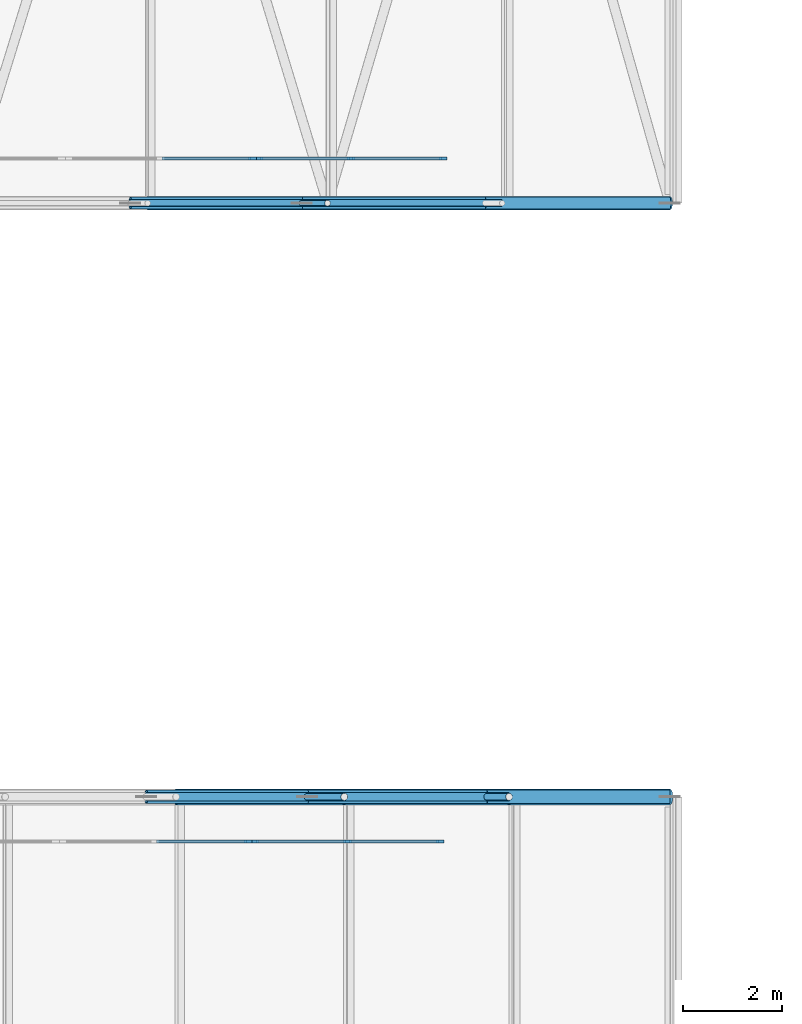
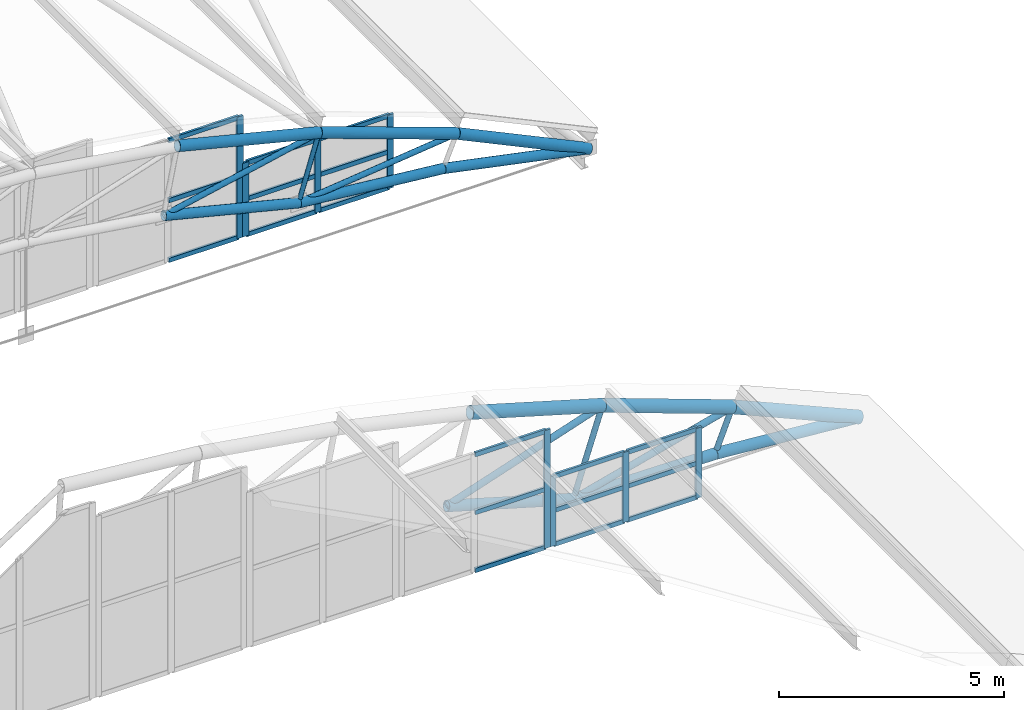
# One storey, part 147 of 321: 45 members, 4 elements without a shape of their own.
"""IFC4 building model written with IfcOpenShell, lengths in metres."""

from ifc_helpers import new_model, si_unit, direction, frame, origin, origin_2d, place, context, subcontext, project, spatial, rectangle, hollow_circle, extrude, material, layer, layer_set, material_profile, profile_set, type_object, element, aggregate, save


model = new_model("IFC4")

# Units and contexts
model_context = context("Model", 3, precision=1e-05, world=origin(), true_north=direction((0.0, 1.0)))
body_context = subcontext(model_context, "Body", "Model", "MODEL_VIEW")
ifc_project = project(units=[si_unit("LENGTHUNIT", "METRE"), si_unit("AREAUNIT", "SQUARE_METRE"), si_unit("VOLUMEUNIT", "CUBIC_METRE"), si_unit("PLANEANGLEUNIT", "RADIAN"), si_unit("MASSUNIT", "GRAM", prefix="KILO")], contexts=[model_context])

# Site, building, storey
site_placement = place(None, origin())
site = spatial("IfcSite", under=ifc_project, at=site_placement, CompositionType="ELEMENT")
building_placement = place(site_placement, origin())
building = spatial("IfcBuilding", under=site, at=building_placement, Name="Ravi Spectrum Wholesale Market", CompositionType="ELEMENT")
storey_placement = place(building_placement, frame((0.0, 0.0, 10.800048828125)))
storey = spatial("IfcBuildingStorey", under=building, at=storey_placement, Name="L02", CompositionType="ELEMENT", Elevation=10.800048828125)

# Members
ifc_material_1 = material(Name="Steel S355", Category="steel")
ifc_material_profile_1 = material_profile(ifc_material_1, hollow_circle(Radius=0.05712890625, WallThickness=0.00390625, at=origin_2d()))
ifc_profile_set_1 = profile_set([ifc_material_profile_1], Name="Steel S355")
member_type_1 = type_object("IfcMemberType", Name="CHS 114.3x4 post", PredefinedType="POST", material=ifc_profile_set_1)
member_1_placement = place(storey_placement, frame((191.083251953125, 138.0, 2.859130859375), z_axis=(-0.28969871245, 0.0, -0.957117890338), x_axis=(0.0, -1.0, 0.0)))
element("IfcMember", 1, at=member_1_placement, inside=storey, type_object=member_type_1, Name="H3-MB-L02-028", PredefinedType="POST", context=body_context, shape_type="SweptSolid", body=[
    extrude(hollow_circle(Radius=0.05712890625, WallThickness=0.00390625, at=origin_2d()), origin(), (0.0, 0.0, 1.0), 1.800048828125),
])
ifc_material_2 = material(Name="Steel S355", Category="steel")
ifc_material_profile_2 = material_profile(ifc_material_2, hollow_circle(Radius=0.06982421875, WallThickness=0.0048828125, at=origin_2d()))
ifc_profile_set_2 = profile_set([ifc_material_profile_2], Name="Steel S355")
member_type_2 = type_object("IfcMemberType", Name="CHS 139.7x5 brace", PredefinedType="BRACE", material=ifc_profile_set_2)
for number, where, z_axis, x_axis, name in (
    (2, (191.083251953125, 138.0, 2.859130859375), (-0.977654929292, 0.0, -0.210216172618), (0.0, -1.0, 0.0), "H3-MB-L02-036"),
    (3, (194.61181640625, 138.0, 1.59912109375), (-0.993531900469, 0.0, -0.113553347597), (0.0, -1.0, 0.0), "H3-MB-L02-037"),
):
    element("IfcMember", number, at=place(storey_placement, frame(where, z_axis=z_axis, x_axis=x_axis)), inside=storey, type_object=member_type_2, Name=name, PredefinedType="BRACE", context=body_context, shape_type="SweptSolid", body=[
        extrude(hollow_circle(Radius=0.06982421875, WallThickness=0.0048828125, at=origin_2d()), origin(), (0.0, 0.0, 1.0), 4.076416015625),
    ])
ifc_material_3 = material(Name="Steel S355", Category="steel")
ifc_material_profile_3 = material_profile(ifc_material_3, hollow_circle(Radius=0.06982421875, WallThickness=0.0048828125, at=origin_2d()))
ifc_profile_set_3 = profile_set([ifc_material_profile_3], Name="Steel S355")
member_type_3 = type_object("IfcMemberType", Name="CHS 139.7x5 post", PredefinedType="POST", material=ifc_profile_set_3)
member_2_placement = place(storey_placement, frame((191.422119140625, 126.0, 2.62255859375), z_axis=(-0.310973905747, 0.0, -0.950418449918), x_axis=(0.0, -1.0, 0.0)))
element("IfcMember", 4, at=member_2_placement, inside=storey, type_object=member_type_3, Name="H2-MB-L02-264", PredefinedType="POST", context=body_context, shape_type="SweptSolid", body=[
    extrude(hollow_circle(Radius=0.06982421875, WallThickness=0.0048828125, at=origin_2d()), origin(), (0.0, 0.0, 1.0), 2.39990234375),
])
member_3_placement = place(storey_placement, frame((194.75244140625, 126.0, 1.415283203125), z_axis=(-0.370337942638, 0.0, -0.928897092386), x_axis=(0.0, -1.0, 0.0)))
element("IfcMember", 5, at=member_3_placement, inside=storey, type_object=member_type_3, Name="H2-MB-L02-265", PredefinedType="POST", context=body_context, shape_type="SweptSolid", body=[
    extrude(hollow_circle(Radius=0.06982421875, WallThickness=0.0048828125, at=origin_2d()), origin(), (0.0, 0.0, 1.0), 1.19970703125),
])
ifc_material_4 = material(Name="Steel S355", Category="steel")
ifc_material_profile_4 = material_profile(ifc_material_4, hollow_circle(Radius=0.084228515625, WallThickness=0.00634765625, at=origin_2d()))
ifc_profile_set_4 = profile_set([ifc_material_profile_4], Name="Steel S355")
member_type_4 = type_object("IfcMemberType", Name="CHS 168.3x6.3 brace", PredefinedType="BRACE", material=ifc_profile_set_4)
member_4_placement = place(storey_placement, frame((191.422119140625, 126.0, 2.62255859375), z_axis=(-0.949001331945, 0.0, -0.315272060237), x_axis=(0.0, -1.0, 0.0)))
element("IfcMember", 6, at=member_4_placement, inside=storey, type_object=member_type_4, Name="H2-MB-L02-276", PredefinedType="BRACE", context=body_context, shape_type="SweptSolid", body=[
    extrude(hollow_circle(Radius=0.084228515625, WallThickness=0.00634765625, at=origin_2d()), origin(), (0.0, 0.0, 1.0), 4.2158203125),
])
member_5_placement = place(storey_placement, frame((194.75244140625, 126.0, 1.415283203125), z_axis=(-0.96702050396, 0.0, -0.254698537335), x_axis=(0.0, -1.0, 0.0)))
element("IfcMember", 7, at=member_5_placement, inside=storey, type_object=member_type_4, Name="H2-MB-L02-277", PredefinedType="BRACE", context=body_context, shape_type="SweptSolid", body=[
    extrude(hollow_circle(Radius=0.084228515625, WallThickness=0.00634765625, at=origin_2d()), origin(), (0.0, 0.0, 1.0), 4.215576171875),
])
ifc_material_5 = material(Name="Steel S355", Category="steel")
ifc_material_profile_5 = material_profile(ifc_material_5, hollow_circle(Radius=0.122314453125, WallThickness=0.008056640625, at=origin_2d()))
ifc_profile_set_5 = profile_set([ifc_material_profile_5], Name="Steel S355")
member_type_5 = type_object("IfcMemberType", Name="CHS 244.5x8 chord", PredefinedType="CHORD", material=ifc_profile_set_5)
member_6_placement = place(storey_placement, frame((187.097900390625, 138.0, 2.002197265625), z_axis=(0.970142500145, 0.0, -0.242535625036), x_axis=(0.0, 1.0, 0.0)))
element("IfcMember", 8, at=member_6_placement, inside=storey, type_object=member_type_5, Name="H3-MB-L02-018", PredefinedType="CHORD", context=body_context, shape_type="SweptSolid", body=[
    extrude(hollow_circle(Radius=0.122314453125, WallThickness=0.008056640625, at=origin_2d()), origin(), (0.0, 0.0, 1.0), 3.570556640625),
])
member_7_placement = place(storey_placement, frame((190.561767578125, 138.0, 1.13623046875), z_axis=(0.995082518714, 0.0, -0.099049386415), x_axis=(0.0, 1.0, 0.0)))
element("IfcMember", 9, at=member_7_placement, inside=storey, type_object=member_type_5, Name="H3-MB-L02-019", PredefinedType="CHORD", context=body_context, shape_type="SweptSolid", body=[
    extrude(hollow_circle(Radius=0.122314453125, WallThickness=0.008056640625, at=origin_2d()), origin(), (0.0, 0.0, 1.0), 3.724365234375),
])
member_8_placement = place(storey_placement, frame((194.267822265625, 138.0, 0.767333984375), z_axis=(0.979511723372, 0.0, -0.201387148987), x_axis=(0.0, 1.0, 0.0)))
element("IfcMember", 10, at=member_8_placement, inside=storey, type_object=member_type_5, Name="H3-MB-L02-020", PredefinedType="CHORD", context=body_context, shape_type="SweptSolid", body=[
    extrude(hollow_circle(Radius=0.122314453125, WallThickness=0.008056640625, at=origin_2d()), origin(), (0.0, 0.0, 1.0), 3.810302734375),
])
ifc_material_6 = material(Name="Steel S355", Category="steel")
ifc_material_profile_6 = material_profile(ifc_material_6, hollow_circle(Radius=0.136474609375, WallThickness=0.010009765625, at=origin_2d()))
ifc_profile_set_6 = profile_set([ifc_material_profile_6], Name="Steel S355")
member_type_6 = type_object("IfcMemberType", Name="CHS 273x10 chord", PredefinedType="CHORD", material=ifc_profile_set_6)
member_9_placement = place(storey_placement, frame((187.42138671875, 126.0, 1.29345703125), z_axis=(0.959785210249, 0.0, -0.280735373951), x_axis=(0.0, 1.0, 0.0)))
element("IfcMember", 11, at=member_9_placement, inside=storey, type_object=member_type_6, Name="H2-MB-L02-250", PredefinedType="CHORD", context=body_context, shape_type="SweptSolid", body=[
    extrude(hollow_circle(Radius=0.136474609375, WallThickness=0.010009765625, at=origin_2d()), origin(), (0.0, 0.0, 1.0), 3.390869140625),
])
member_10_placement = place(storey_placement, frame((190.67578125, 126.0, 0.341552734375), z_axis=(0.999937009827, 0.0, -0.011223919925), x_axis=(0.0, 1.0, 0.0)))
element("IfcMember", 12, at=member_10_placement, inside=storey, type_object=member_type_6, Name="H2-MB-L02-251", PredefinedType="CHORD", context=body_context, shape_type="SweptSolid", body=[
    extrude(hollow_circle(Radius=0.136474609375, WallThickness=0.010009765625, at=origin_2d()), origin(), (0.0, 0.0, 1.0), 3.632568359375),
])
member_11_placement = place(storey_placement, frame((194.30810546875, 126.0, 0.30078125), z_axis=(0.996697692296, 0.0, -0.081201663597), x_axis=(0.0, 1.0, 0.0)))
element("IfcMember", 13, at=member_11_placement, inside=storey, type_object=member_type_6, Name="H2-MB-L02-252", PredefinedType="CHORD", context=body_context, shape_type="SweptSolid", body=[
    extrude(hollow_circle(Radius=0.136474609375, WallThickness=0.010009765625, at=origin_2d()), origin(), (0.0, 0.0, 1.0), 3.7041015625),
])
member_12_placement = place(storey_placement, frame((187.448486328125, 138.0, 3.767822265625), z_axis=(0.970142500145, 0.0, -0.242535625036), x_axis=(0.0, 1.0, 0.0)))
element("IfcMember", 14, at=member_12_placement, inside=storey, type_object=member_type_6, Name="H3-MB-L02-008", PredefinedType="CHORD", context=body_context, shape_type="SweptSolid", body=[
    extrude(hollow_circle(Radius=0.136474609375, WallThickness=0.010009765625, at=origin_2d()), origin(), (0.0, 0.0, 1.0), 3.74658203125),
])
member_13_placement = place(storey_placement, frame((191.083251953125, 138.0, 2.859130859375), z_axis=(0.941758126801, 0.0, -0.336290990965), x_axis=(0.0, 1.0, 0.0)))
element("IfcMember", 15, at=member_13_placement, inside=storey, type_object=member_type_6, Name="H3-MB-L02-009", PredefinedType="CHORD", context=body_context, shape_type="SweptSolid", body=[
    extrude(hollow_circle(Radius=0.136474609375, WallThickness=0.010009765625, at=origin_2d()), origin(), (0.0, 0.0, 1.0), 3.746826171875),
])
member_14_placement = place(storey_placement, frame((194.61181640625, 138.0, 1.59912109375), z_axis=(0.904336690514, 0.0, -0.426819809978), x_axis=(0.0, 1.0, 0.0)))
element("IfcMember", 16, at=member_14_placement, inside=storey, type_object=member_type_6, Name="H3-MB-L02-010", PredefinedType="CHORD", context=body_context, shape_type="SweptSolid", body=[
    extrude(hollow_circle(Radius=0.136474609375, WallThickness=0.010009765625, at=origin_2d()), origin(), (0.0, 0.0, 1.0), 3.74658203125),
])
ifc_material_7 = material(Name="Steel S355", Category="steel")
ifc_material_profile_7 = material_profile(ifc_material_7, hollow_circle(Radius=0.161865234375, WallThickness=0.010009765625, at=origin_2d()))
ifc_profile_set_7 = profile_set([ifc_material_profile_7], Name="Steel S355")
member_type_7 = type_object("IfcMemberType", Name="CHS 323.9x10 chord", PredefinedType="CHORD", material=ifc_profile_set_7)
member_15_placement = place(storey_placement, frame((188.02197265625, 126.0, 3.6171875), z_axis=(0.959778179425, 0.0, -0.280759409993), x_axis=(0.0, 1.0, 0.0)))
element("IfcMember", 17, at=member_15_placement, inside=storey, type_object=member_type_7, Name="H2-MB-L02-236", PredefinedType="CHORD", context=body_context, shape_type="SweptSolid", body=[
    extrude(hollow_circle(Radius=0.161865234375, WallThickness=0.010009765625, at=origin_2d()), origin(), (0.0, 0.0, 1.0), 3.542724609375),
])
for number, where, z_axis, x_axis, name in (
    (18, (191.422119140625, 126.0, 2.62255859375), (0.940133028891, 0.0, -0.340807699426), (0.0, 1.0, 0.0), "H2-MB-L02-237"),
    (19, (194.75244140625, 126.0, 1.415283203125), (0.916728973025, 0.0, -0.399509687012), (0.0, 1.0, 0.0), "H2-MB-L02-238"),
):
    element("IfcMember", number, at=place(storey_placement, frame(where, z_axis=z_axis, x_axis=x_axis)), inside=storey, type_object=member_type_7, Name=name, PredefinedType="CHORD", context=body_context, shape_type="SweptSolid", body=[
        extrude(hollow_circle(Radius=0.161865234375, WallThickness=0.010009765625, at=origin_2d()), origin(), (0.0, 0.0, 1.0), 3.54248046875),
    ])

# Curtain wall, member
ifc_material_8 = material(Name="Aluminium 6063-T6", Category="aluminium")
ifc_layer = layer(ifc_material_8, 0.14990234375)
ifc_layer_set = layer_set([ifc_layer], Name="Aluminium 6063-T6")
curtain_wall_type = type_object("IfcCurtainWallType", Name="Curtain wall 150", PredefinedType="NOTDEFINED", material=ifc_layer_set)
curtain_wall_1_placement = place(storey_placement, origin())
curtain_wall_1 = element("IfcCurtainWall", 20, at=curtain_wall_1_placement, inside=storey, type_object=curtain_wall_type, Name="H2-CW-L02-019", PredefinedType="NOTDEFINED")
ifc_material_9 = material(Name="Aluminium 6063-T6", Category="aluminium")
ifc_material_profile_8 = material_profile(ifc_material_9, rectangle(XDim=0.06005859375, YDim=0.159912109375, at=origin_2d()))
ifc_profile_set_8 = profile_set([ifc_material_profile_8], Name="Aluminium 6063-T6")
member_type_8 = type_object("IfcMemberType", Name="Mullion 60 x 160", PredefinedType="MULLION", material=ifc_profile_set_8)
member_16_placement = place(storey_placement, frame((189.474609375, 125.10009765625, 0.0), z_axis=(0.0, 0.0, 1.0), x_axis=(0.0, 1.0, 0.0)))
member_16 = element("IfcMember", 21, at=member_16_placement, type_object=member_type_8, Name="H2-CW-L02-019 mullion 3", PredefinedType="MULLION", context=body_context, shape_type="SweptSolid", body=[
    extrude(rectangle(XDim=0.06005859375, YDim=0.159912109375, at=origin_2d()), origin(), (0.0, 0.0, 1.0), 3.199951171875),
])

# Curtain wall, members
curtain_wall_2_placement = place(storey_placement, origin())
curtain_wall_2 = element("IfcCurtainWall", 22, at=curtain_wall_2_placement, inside=storey, type_object=curtain_wall_type, Name="H2-CW-L02-020", PredefinedType="NOTDEFINED")
member_17_placement = place(storey_placement, frame((189.614501953125, 125.10009765625, 0.0), z_axis=(0.0, 0.0, 1.0), x_axis=(0.0, 1.0, 0.0)))
member_17 = element("IfcMember", 23, at=member_17_placement, type_object=member_type_8, Name="H2-CW-L02-020 mullion 1", PredefinedType="MULLION", context=body_context, shape_type="SweptSolid", body=[
    extrude(rectangle(XDim=0.06005859375, YDim=0.159912109375, at=origin_2d()), origin(), (0.0, 0.0, 1.0), 1.89990234375),
])
member_18_placement = place(storey_placement, frame((191.487548828125, 125.10009765625, 0.0), z_axis=(0.0, 0.0, 1.0), x_axis=(0.0, 1.0, 0.0)))
member_18 = element("IfcMember", 24, at=member_18_placement, type_object=member_type_8, Name="H2-CW-L02-020 mullion 2", PredefinedType="MULLION", context=body_context, shape_type="SweptSolid", body=[
    extrude(rectangle(XDim=0.06005859375, YDim=0.159912109375, at=origin_2d()), origin(), (0.0, 0.0, 1.0), 1.89990234375),
])
member_19_placement = place(storey_placement, frame((193.360595703125, 125.10009765625, 0.0), z_axis=(0.0, 0.0, 1.0), x_axis=(0.0, 1.0, 0.0)))
member_19 = element("IfcMember", 25, at=member_19_placement, type_object=member_type_8, Name="H2-CW-L02-020 mullion 3", PredefinedType="MULLION", context=body_context, shape_type="SweptSolid", body=[
    extrude(rectangle(XDim=0.06005859375, YDim=0.159912109375, at=origin_2d()), origin(), (0.0, 0.0, 1.0), 1.89990234375),
])

# Curtain wall, member
curtain_wall_3_placement = place(storey_placement, origin())
curtain_wall_3 = element("IfcCurtainWall", 26, at=curtain_wall_3_placement, inside=storey, type_object=curtain_wall_type, Name="H3-CW-L02-006", PredefinedType="NOTDEFINED")
member_20_placement = place(storey_placement, frame((189.564453125, 138.89990234375, 0.0), z_axis=(0.0, 0.0, 1.0), x_axis=(0.0, 1.0, 0.0)))
member_20 = element("IfcMember", 27, at=member_20_placement, type_object=member_type_8, Name="H3-CW-L02-006 mullion 3", PredefinedType="MULLION", context=body_context, shape_type="SweptSolid", body=[
    extrude(rectangle(XDim=0.06005859375, YDim=0.159912109375, at=origin_2d()), origin(), (0.0, 0.0, 1.0), 3.300048828125),
])

# Curtain wall, members
curtain_wall_4_placement = place(storey_placement, origin())
curtain_wall_4 = element("IfcCurtainWall", 28, at=curtain_wall_4_placement, inside=storey, type_object=curtain_wall_type, Name="H3-CW-L02-007", PredefinedType="NOTDEFINED")
member_21_placement = place(storey_placement, frame((189.70458984375, 138.89990234375, 0.0), z_axis=(0.0, 0.0, 1.0), x_axis=(0.0, 1.0, 0.0)))
member_21 = element("IfcMember", 29, at=member_21_placement, type_object=member_type_8, Name="H3-CW-L02-007 mullion 1", PredefinedType="MULLION", context=body_context, shape_type="SweptSolid", body=[
    extrude(rectangle(XDim=0.06005859375, YDim=0.159912109375, at=origin_2d()), origin(), (0.0, 0.0, 1.0), 2.0),
])
member_22_placement = place(storey_placement, frame((191.5615234375, 138.89990234375, 0.0), z_axis=(0.0, 0.0, 1.0), x_axis=(0.0, 1.0, 0.0)))
member_22 = element("IfcMember", 30, at=member_22_placement, type_object=member_type_8, Name="H3-CW-L02-007 mullion 2", PredefinedType="MULLION", context=body_context, shape_type="SweptSolid", body=[
    extrude(rectangle(XDim=0.06005859375, YDim=0.159912109375, at=origin_2d()), origin(), (0.0, 0.0, 1.0), 2.0),
])
member_23_placement = place(storey_placement, frame((193.41845703125, 138.89990234375, 0.0), z_axis=(0.0, 0.0, 1.0), x_axis=(0.0, 1.0, 0.0)))
member_23 = element("IfcMember", 31, at=member_23_placement, type_object=member_type_8, Name="H3-CW-L02-007 mullion 3", PredefinedType="MULLION", context=body_context, shape_type="SweptSolid", body=[
    extrude(rectangle(XDim=0.06005859375, YDim=0.159912109375, at=origin_2d()), origin(), (0.0, 0.0, 1.0), 2.0),
])

# Member
ifc_material_10 = material(Name="Aluminium 6063-T6", Category="aluminium")
ifc_material_profile_9 = material_profile(ifc_material_10, rectangle(XDim=0.06005859375, YDim=0.1201171875, at=origin_2d()))
ifc_profile_set_9 = profile_set([ifc_material_profile_9], Name="Aluminium 6063-T6")
member_type_9 = type_object("IfcMemberType", Name="Transom 60 x 120", PredefinedType="USERDEFINED", material=ifc_profile_set_9)
member_24_placement = place(storey_placement, frame((187.63134765625, 125.10009765625, 0.030029296875), z_axis=(1.0, 0.0, 0.0), x_axis=(0.0, 1.0, 0.0)))
member_24 = element("IfcMember", 32, at=member_24_placement, type_object=member_type_9, Name="H2-CW-L02-019 transom 2.1", ObjectType="TRANSOM", PredefinedType="USERDEFINED", context=body_context, shape_type="SweptSolid", body=[
    extrude(rectangle(XDim=0.06005859375, YDim=0.1201171875, at=origin_2d()), origin(), (0.0, 0.0, 1.0), 1.813232421875),
])

member_25_placement = place(storey_placement, frame((187.63134765625, 125.10009765625, 1.599853515625), z_axis=(1.0, 0.0, 0.0), x_axis=(0.0, 1.0, 0.0)))
member_25 = element("IfcMember", 33, at=member_25_placement, type_object=member_type_9, Name="H2-CW-L02-019 transom 2.2", ObjectType="TRANSOM", PredefinedType="USERDEFINED", context=body_context, shape_type="SweptSolid", body=[
    extrude(rectangle(XDim=0.06005859375, YDim=0.1201171875, at=origin_2d()), origin(), (0.0, 0.0, 1.0), 1.813232421875),
])

member_26_placement = place(storey_placement, frame((187.63134765625, 125.10009765625, 3.169921875), z_axis=(1.0, 0.0, 0.0), x_axis=(0.0, 1.0, 0.0)))
member_26 = element("IfcMember", 34, at=member_26_placement, type_object=member_type_9, Name="H2-CW-L02-019 transom 2.3", ObjectType="TRANSOM", PredefinedType="USERDEFINED", context=body_context, shape_type="SweptSolid", body=[
    extrude(rectangle(XDim=0.06005859375, YDim=0.1201171875, at=origin_2d()), origin(), (0.0, 0.0, 1.0), 1.813232421875),
])

aggregate(curtain_wall_1, [member_16, member_24, member_25, member_26])

member_27_placement = place(storey_placement, frame((189.64453125, 125.10009765625, 0.030029296875), z_axis=(1.0, 0.0, 0.0), x_axis=(0.0, 1.0, 0.0)))
member_27 = element("IfcMember", 35, at=member_27_placement, type_object=member_type_9, Name="H2-CW-L02-020 transom 1.1", ObjectType="TRANSOM", PredefinedType="USERDEFINED", context=body_context, shape_type="SweptSolid", body=[
    extrude(rectangle(XDim=0.06005859375, YDim=0.1201171875, at=origin_2d()), origin(), (0.0, 0.0, 1.0), 1.81298828125),
])

member_28_placement = place(storey_placement, frame((189.64453125, 125.10009765625, 0.949951171875), z_axis=(1.0, 0.0, 0.0), x_axis=(0.0, 1.0, 0.0)))
member_28 = element("IfcMember", 36, at=member_28_placement, type_object=member_type_9, Name="H2-CW-L02-020 transom 1.2", ObjectType="TRANSOM", PredefinedType="USERDEFINED", context=body_context, shape_type="SweptSolid", body=[
    extrude(rectangle(XDim=0.06005859375, YDim=0.1201171875, at=origin_2d()), origin(), (0.0, 0.0, 1.0), 1.81298828125),
])

member_29_placement = place(storey_placement, frame((189.64453125, 125.10009765625, 1.869873046875), z_axis=(1.0, 0.0, 0.0), x_axis=(0.0, 1.0, 0.0)))
member_29 = element("IfcMember", 37, at=member_29_placement, type_object=member_type_9, Name="H2-CW-L02-020 transom 1.3", ObjectType="TRANSOM", PredefinedType="USERDEFINED", context=body_context, shape_type="SweptSolid", body=[
    extrude(rectangle(XDim=0.06005859375, YDim=0.1201171875, at=origin_2d()), origin(), (0.0, 0.0, 1.0), 1.81298828125),
])

member_30_placement = place(storey_placement, frame((191.517578125, 125.10009765625, 0.030029296875), z_axis=(1.0, 0.0, 0.0), x_axis=(0.0, 1.0, 0.0)))
member_30 = element("IfcMember", 38, at=member_30_placement, type_object=member_type_9, Name="H2-CW-L02-020 transom 2.1", ObjectType="TRANSOM", PredefinedType="USERDEFINED", context=body_context, shape_type="SweptSolid", body=[
    extrude(rectangle(XDim=0.06005859375, YDim=0.1201171875, at=origin_2d()), origin(), (0.0, 0.0, 1.0), 1.81298828125),
])

member_31_placement = place(storey_placement, frame((191.517578125, 125.10009765625, 0.949951171875), z_axis=(1.0, 0.0, 0.0), x_axis=(0.0, 1.0, 0.0)))
member_31 = element("IfcMember", 39, at=member_31_placement, type_object=member_type_9, Name="H2-CW-L02-020 transom 2.2", ObjectType="TRANSOM", PredefinedType="USERDEFINED", context=body_context, shape_type="SweptSolid", body=[
    extrude(rectangle(XDim=0.06005859375, YDim=0.1201171875, at=origin_2d()), origin(), (0.0, 0.0, 1.0), 1.81298828125),
])

member_32_placement = place(storey_placement, frame((191.517578125, 125.10009765625, 1.869873046875), z_axis=(1.0, 0.0, 0.0), x_axis=(0.0, 1.0, 0.0)))
member_32 = element("IfcMember", 40, at=member_32_placement, type_object=member_type_9, Name="H2-CW-L02-020 transom 2.3", ObjectType="TRANSOM", PredefinedType="USERDEFINED", context=body_context, shape_type="SweptSolid", body=[
    extrude(rectangle(XDim=0.06005859375, YDim=0.1201171875, at=origin_2d()), origin(), (0.0, 0.0, 1.0), 1.81298828125),
])

aggregate(curtain_wall_2, [member_17, member_18, member_19, member_27, member_28, member_29, member_30, member_31, member_32])

member_33_placement = place(storey_placement, frame((187.737548828125, 138.89990234375, 0.030029296875), z_axis=(1.0, 0.0, 0.0), x_axis=(0.0, 1.0, 0.0)))
member_33 = element("IfcMember", 41, at=member_33_placement, type_object=member_type_9, Name="H3-CW-L02-006 transom 2.1", ObjectType="TRANSOM", PredefinedType="USERDEFINED", context=body_context, shape_type="SweptSolid", body=[
    extrude(rectangle(XDim=0.06005859375, YDim=0.1201171875, at=origin_2d()), origin(), (0.0, 0.0, 1.0), 1.797119140625),
])

member_34_placement = place(storey_placement, frame((187.737548828125, 138.89990234375, 1.64990234375), z_axis=(1.0, 0.0, 0.0), x_axis=(0.0, 1.0, 0.0)))
member_34 = element("IfcMember", 42, at=member_34_placement, type_object=member_type_9, Name="H3-CW-L02-006 transom 2.2", ObjectType="TRANSOM", PredefinedType="USERDEFINED", context=body_context, shape_type="SweptSolid", body=[
    extrude(rectangle(XDim=0.06005859375, YDim=0.1201171875, at=origin_2d()), origin(), (0.0, 0.0, 1.0), 1.797119140625),
])

member_35_placement = place(storey_placement, frame((187.737548828125, 138.89990234375, 3.27001953125), z_axis=(1.0, 0.0, 0.0), x_axis=(0.0, 1.0, 0.0)))
member_35 = element("IfcMember", 43, at=member_35_placement, type_object=member_type_9, Name="H3-CW-L02-006 transom 2.3", ObjectType="TRANSOM", PredefinedType="USERDEFINED", context=body_context, shape_type="SweptSolid", body=[
    extrude(rectangle(XDim=0.06005859375, YDim=0.1201171875, at=origin_2d()), origin(), (0.0, 0.0, 1.0), 1.797119140625),
])

aggregate(curtain_wall_3, [member_20, member_33, member_34, member_35])

member_36_placement = place(storey_placement, frame((189.734619140625, 138.89990234375, 0.030029296875), z_axis=(1.0, 0.0, 0.0), x_axis=(0.0, 1.0, 0.0)))
member_36 = element("IfcMember", 44, at=member_36_placement, type_object=member_type_9, Name="H3-CW-L02-007 transom 1.1", ObjectType="TRANSOM", PredefinedType="USERDEFINED", context=body_context, shape_type="SweptSolid", body=[
    extrude(rectangle(XDim=0.06005859375, YDim=0.1201171875, at=origin_2d()), origin(), (0.0, 0.0, 1.0), 1.796875),
])

member_37_placement = place(storey_placement, frame((189.734619140625, 138.89990234375, 1.0), z_axis=(1.0, 0.0, 0.0), x_axis=(0.0, 1.0, 0.0)))
member_37 = element("IfcMember", 45, at=member_37_placement, type_object=member_type_9, Name="H3-CW-L02-007 transom 1.2", ObjectType="TRANSOM", PredefinedType="USERDEFINED", context=body_context, shape_type="SweptSolid", body=[
    extrude(rectangle(XDim=0.06005859375, YDim=0.1201171875, at=origin_2d()), origin(), (0.0, 0.0, 1.0), 1.796875),
])

member_38_placement = place(storey_placement, frame((189.734619140625, 138.89990234375, 1.969970703125), z_axis=(1.0, 0.0, 0.0), x_axis=(0.0, 1.0, 0.0)))
member_38 = element("IfcMember", 46, at=member_38_placement, type_object=member_type_9, Name="H3-CW-L02-007 transom 1.3", ObjectType="TRANSOM", PredefinedType="USERDEFINED", context=body_context, shape_type="SweptSolid", body=[
    extrude(rectangle(XDim=0.06005859375, YDim=0.1201171875, at=origin_2d()), origin(), (0.0, 0.0, 1.0), 1.796875),
])

member_39_placement = place(storey_placement, frame((191.591552734375, 138.89990234375, 0.030029296875), z_axis=(1.0, 0.0, 0.0), x_axis=(0.0, 1.0, 0.0)))
member_39 = element("IfcMember", 47, at=member_39_placement, type_object=member_type_9, Name="H3-CW-L02-007 transom 2.1", ObjectType="TRANSOM", PredefinedType="USERDEFINED", context=body_context, shape_type="SweptSolid", body=[
    extrude(rectangle(XDim=0.06005859375, YDim=0.1201171875, at=origin_2d()), origin(), (0.0, 0.0, 1.0), 1.796875),
])

member_40_placement = place(storey_placement, frame((191.591552734375, 138.89990234375, 1.0), z_axis=(1.0, 0.0, 0.0), x_axis=(0.0, 1.0, 0.0)))
member_40 = element("IfcMember", 48, at=member_40_placement, type_object=member_type_9, Name="H3-CW-L02-007 transom 2.2", ObjectType="TRANSOM", PredefinedType="USERDEFINED", context=body_context, shape_type="SweptSolid", body=[
    extrude(rectangle(XDim=0.06005859375, YDim=0.1201171875, at=origin_2d()), origin(), (0.0, 0.0, 1.0), 1.796875),
])

member_41_placement = place(storey_placement, frame((191.591552734375, 138.89990234375, 1.969970703125), z_axis=(1.0, 0.0, 0.0), x_axis=(0.0, 1.0, 0.0)))
member_41 = element("IfcMember", 49, at=member_41_placement, type_object=member_type_9, Name="H3-CW-L02-007 transom 2.3", ObjectType="TRANSOM", PredefinedType="USERDEFINED", context=body_context, shape_type="SweptSolid", body=[
    extrude(rectangle(XDim=0.06005859375, YDim=0.1201171875, at=origin_2d()), origin(), (0.0, 0.0, 1.0), 1.796875),
])

aggregate(curtain_wall_4, [member_21, member_22, member_23, member_36, member_37, member_38, member_39, member_40, member_41])

save(model, "model.ifc")
